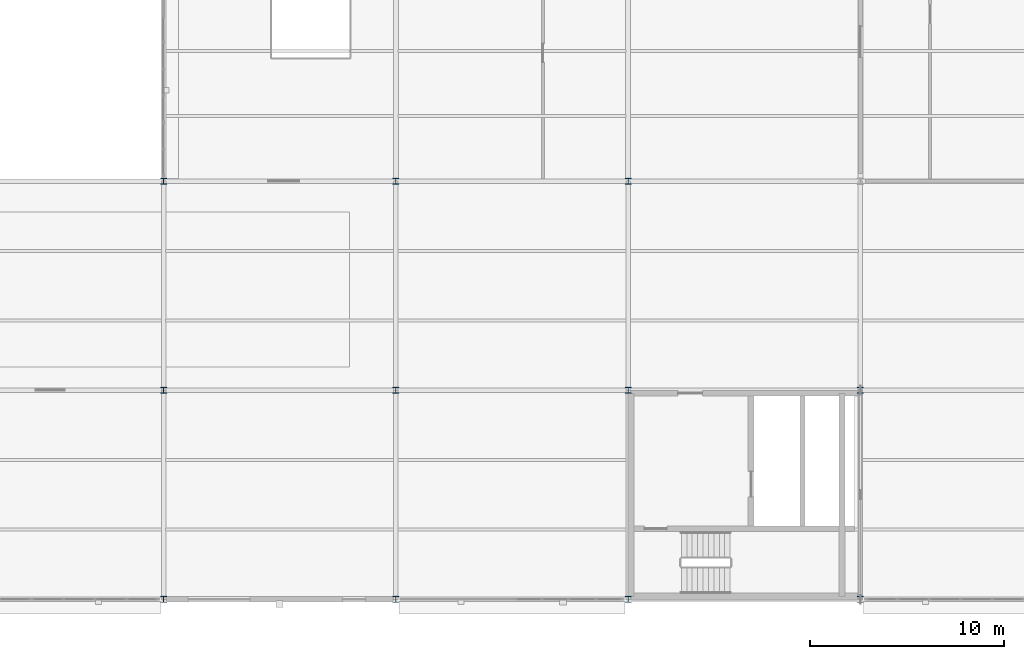
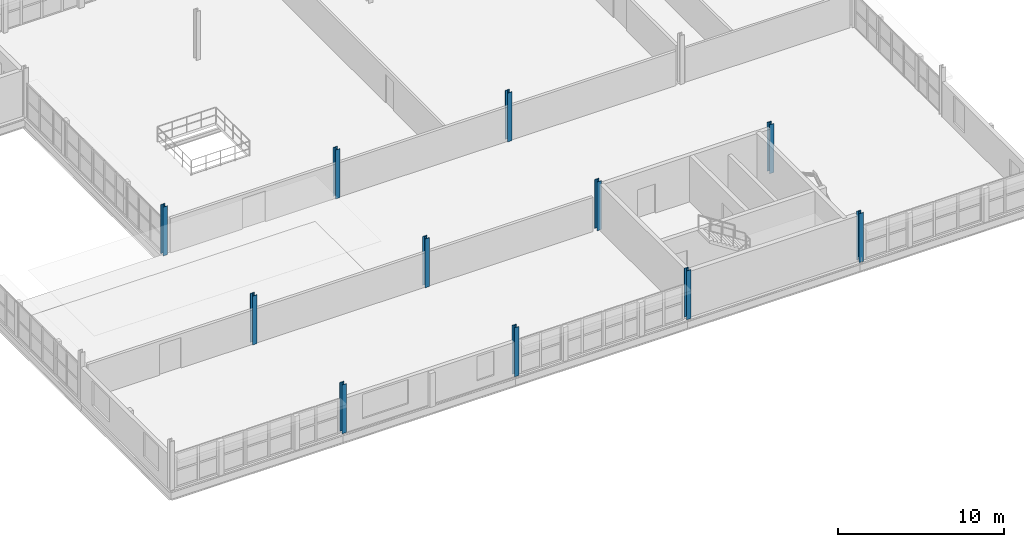
# One storey, part 14 of 79: 11 columns.
"""IFC4 building model written with IfcOpenShell, lengths in metres."""

from ifc_helpers import new_model, si_unit, direction, frame, origin, origin_2d, place, context, subcontext, project, spatial, i_section, extrude, material, material_profile, profile_set, type_object, element, save


model = new_model("IFC4")

# Units and contexts
model_context = context("Model", 3, precision=1e-05, world=origin(), true_north=direction((0.0, 1.0)))
body_context = subcontext(model_context, "Body", "Model", "MODEL_VIEW")
ifc_project = project(units=[si_unit("LENGTHUNIT", "METRE"), si_unit("AREAUNIT", "SQUARE_METRE"), si_unit("VOLUMEUNIT", "CUBIC_METRE"), si_unit("PLANEANGLEUNIT", "RADIAN"), si_unit("MASSUNIT", "GRAM", prefix="KILO"), si_unit("THERMODYNAMICTEMPERATUREUNIT", "KELVIN"), si_unit("POWERUNIT", "WATT")], contexts=[model_context])

# Site, building, storey
site_placement = place(None, origin())
site = spatial("IfcSite", under=ifc_project, at=site_placement, CompositionType="ELEMENT")
building_placement = place(site_placement, origin())
building = spatial("IfcBuilding", under=site, at=building_placement, Name="Tembeka Court Mobility Hub", CompositionType="ELEMENT")
storey_placement = place(building_placement, frame((0.0, 0.0, 9.0)))
storey = spatial("IfcBuildingStorey", under=building, at=storey_placement, Name="L02", CompositionType="ELEMENT", Elevation=9.0)

# Columns
ifc_material = material(Name="Steel S355", Category="steel")
ifc_material_profile = material_profile(ifc_material, i_section(OverallWidth=0.30908203125, OverallDepth=0.321044921875, WebThickness=0.013916015625, FlangeThickness=0.021728515625, FilletRadius=0.01513671875, at=origin_2d()), Name="UKC 305x305x137")
ifc_profile_set = profile_set([ifc_material_profile], Name="Steel S355")
column_type = type_object("IfcColumnType", Name="COL-C04", PredefinedType="COLUMN", material=ifc_profile_set)
for number, where, z_axis, x_axis, name in (
    (1, (128.39990234375, 0.0, 0.0), (0.0, 0.0, 1.0), (1.0, 0.0, 0.0), "Column C04 (L02-173)"),
    (2, (128.39990234375, 10.800048828125, 0.0), (0.0, 0.0, 1.0), (1.0, 0.0, 0.0), "Column C04 (L02-174)"),
    (3, (128.39990234375, 21.60009765625, 0.0), (0.0, 0.0, 1.0), (1.0, 0.0, 0.0), "Column C04 (L02-175)"),
    (4, (140.39990234375, 0.0, 0.0), (0.0, 0.0, 1.0), (1.0, 0.0, 0.0), "Column C04 (L02-193)"),
    (5, (140.39990234375, 10.800048828125, 0.0), (0.0, 0.0, 1.0), (1.0, 0.0, 0.0), "Column C04 (L02-194)"),
    (6, (140.39990234375, 21.60009765625, 0.0), (0.0, 0.0, 1.0), (1.0, 0.0, 0.0), "Column C04 (L02-195)"),
    (7, (152.39990234375, 0.0, 0.0), (0.0, 0.0, 1.0), (1.0, 0.0, 0.0), "Column C04 (L02-206)"),
    (8, (152.39990234375, 10.800048828125, 0.0), (0.0, 0.0, 1.0), (1.0, 0.0, 0.0), "Column C04 (L02-207)"),
    (9, (152.39990234375, 21.60009765625, 0.0), (0.0, 0.0, 1.0), (1.0, 0.0, 0.0), "Column C04 (L02-208)"),
    (10, (164.39990234375, 0.0, 0.0), (0.0, 0.0, 1.0), (1.0, 0.0, 0.0), "Column C04 (L02-220)"),
    (11, (164.39990234375, 10.800048828125, 0.0), (0.0, 0.0, 1.0), (1.0, 0.0, 0.0), "Column C04 (L02-221)"),
):
    element("IfcColumn", number, at=place(storey_placement, frame(where, z_axis=z_axis, x_axis=x_axis)), inside=storey, type_object=column_type, Name=name, PredefinedType="COLUMN", context=body_context, shape_type="SweptSolid", body=[
        extrude(i_section(OverallWidth=0.30908203125, OverallDepth=0.321044921875, WebThickness=0.013916015625, FlangeThickness=0.021728515625, FilletRadius=0.01513671875, at=origin_2d()), origin(), (0.0, 0.0, 1.0), 3.60009765625),
    ])

save(model, "model.ifc")
